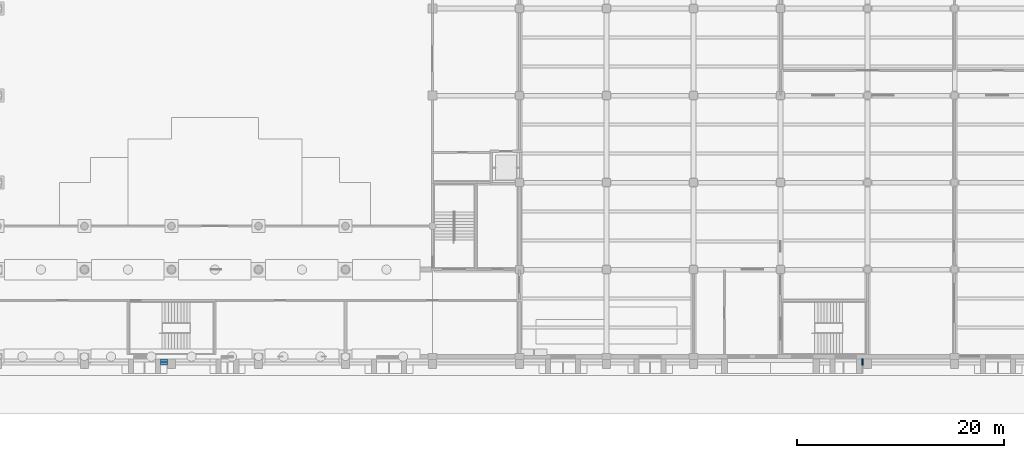
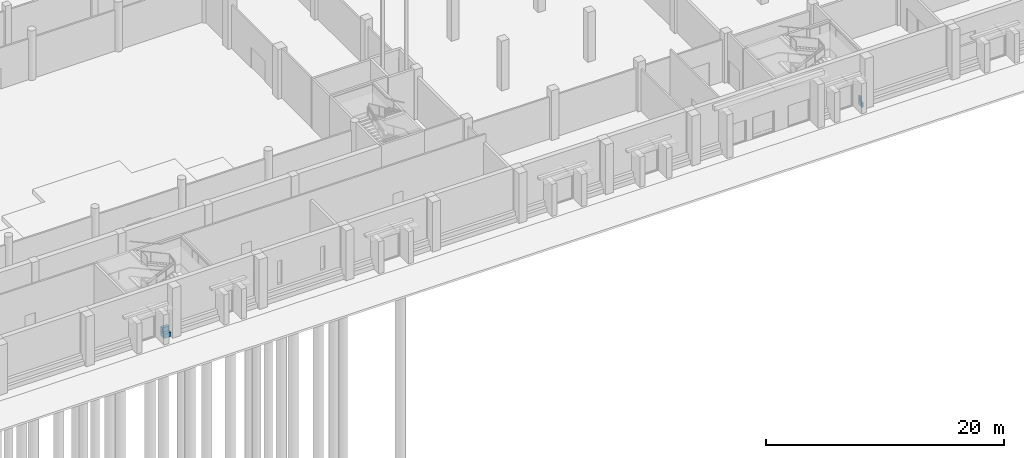
# One storey, part 41 of 74: 4 walls.
"""IFC4 building model written with IfcOpenShell, lengths in metres."""

from ifc_helpers import new_model, si_unit, direction, frame, frame_2d, origin, place, context, subcontext, project, spatial, rectangle, extrude, material, layer, layer_set, type_object, element, save


model = new_model("IFC4")

# Units and contexts
model_context = context("Model", 3, precision=1e-05, world=origin(), true_north=direction((0.0, 1.0)))
body_context = subcontext(model_context, "Body", "Model", "MODEL_VIEW")
ifc_project = project(units=[si_unit("LENGTHUNIT", "METRE"), si_unit("AREAUNIT", "SQUARE_METRE"), si_unit("VOLUMEUNIT", "CUBIC_METRE"), si_unit("PLANEANGLEUNIT", "RADIAN"), si_unit("MASSUNIT", "GRAM", prefix="KILO")], contexts=[model_context])

# Site, building, storey
site_placement = place(None, origin())
site = spatial("IfcSite", under=ifc_project, at=site_placement, CompositionType="ELEMENT")
building_placement = place(site_placement, origin())
building = spatial("IfcBuilding", under=site, at=building_placement, Name="Rulbaag Community and Learning Centre", CompositionType="ELEMENT")
storey_placement = place(building_placement, origin())
storey = spatial("IfcBuildingStorey", under=building, at=storey_placement, Name="L00", CompositionType="ELEMENT", Elevation=0.0)

# Walls
ifc_material = material(Name="Concrete M40", Category="concrete")
ifc_layer_1 = layer(ifc_material, 0.60009765625)
ifc_layer_set_1 = layer_set([ifc_layer_1], Name="EW-PLN1")
wall_type_1 = type_object("IfcWallType", Name="EW-PLN1", PredefinedType="SOLIDWALL", material=ifc_layer_set_1)
wall_1_placement = place(storey_placement, frame((57.75, -0.52490234375, 0.0), z_axis=(0.0, 0.0, 1.0), x_axis=(1.0, 0.0, 0.0)))
element("IfcWall", 1, at=wall_1_placement, inside=storey, type_object=wall_type_1, Name="Battered plinth", PredefinedType="SOLIDWALL", context=body_context, shape_type="SweptSolid", body=[
    extrude(rectangle(XDim=0.64990234375, YDim=0.60009765625, at=frame_2d((0.324951171875, 0.0))), origin(), (0.0, 0.0, 1.0), 0.449951171875),
])
wall_2_placement = place(storey_placement, frame((125.449951171875, -0.52490234375, 0.0), z_axis=(0.0, 0.0, 1.0), x_axis=(1.0, 0.0, 0.0)))
element("IfcWall", 2, at=wall_2_placement, inside=storey, type_object=wall_type_1, Name="Battered plinth", PredefinedType="SOLIDWALL", context=body_context, shape_type="SweptSolid", body=[
    extrude(rectangle(XDim=0.150146484375, YDim=0.60009765625, at=frame_2d((0.0751953125, 0.0))), origin(), (0.0, 0.0, 1.0), 0.449951171875),
])
ifc_layer_2 = layer(ifc_material, 0.300048828125)
ifc_layer_set_2 = layer_set([ifc_layer_2], Name="EW-PLN2")
wall_type_2 = type_object("IfcWallType", Name="EW-PLN2", PredefinedType="SOLIDWALL", material=ifc_layer_set_2)
wall_3_placement = place(storey_placement, frame((57.75, -0.375, 0.449951171875), z_axis=(0.0, 0.0, 1.0), x_axis=(1.0, 0.0, 0.0)))
element("IfcWall", 3, at=wall_3_placement, inside=storey, type_object=wall_type_2, Name="Battered plinth", PredefinedType="SOLIDWALL", context=body_context, shape_type="SweptSolid", body=[
    extrude(rectangle(XDim=0.64990234375, YDim=0.300048828125, at=frame_2d((0.324951171875, 0.0))), origin(), (0.0, 0.0, 1.0), 0.449951171875),
])
wall_4_placement = place(storey_placement, frame((125.449951171875, -0.375, 0.449951171875), z_axis=(0.0, 0.0, 1.0), x_axis=(1.0, 0.0, 0.0)))
element("IfcWall", 4, at=wall_4_placement, inside=storey, type_object=wall_type_2, Name="Battered plinth", PredefinedType="SOLIDWALL", context=body_context, shape_type="SweptSolid", body=[
    extrude(rectangle(XDim=0.150146484375, YDim=0.300048828125, at=frame_2d((0.0751953125, 0.0))), origin(), (0.0, 0.0, 1.0), 0.449951171875),
])

save(model, "model.ifc")
